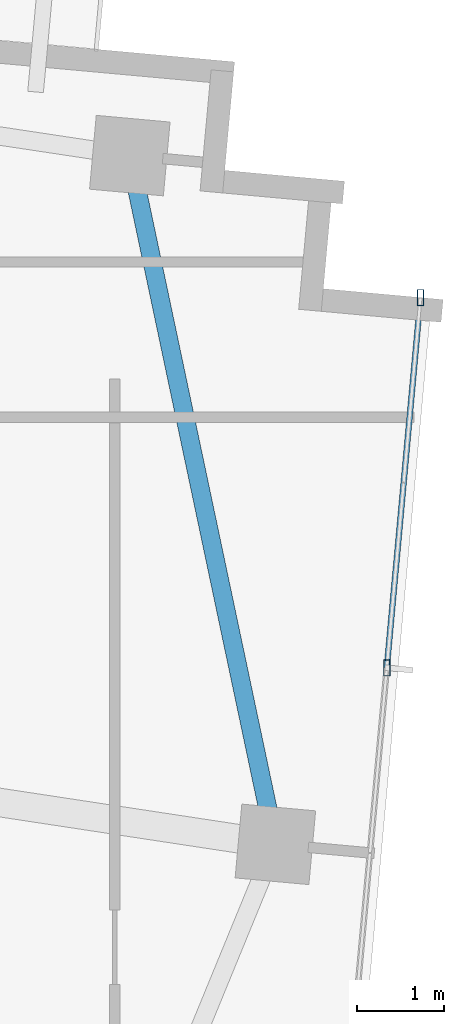
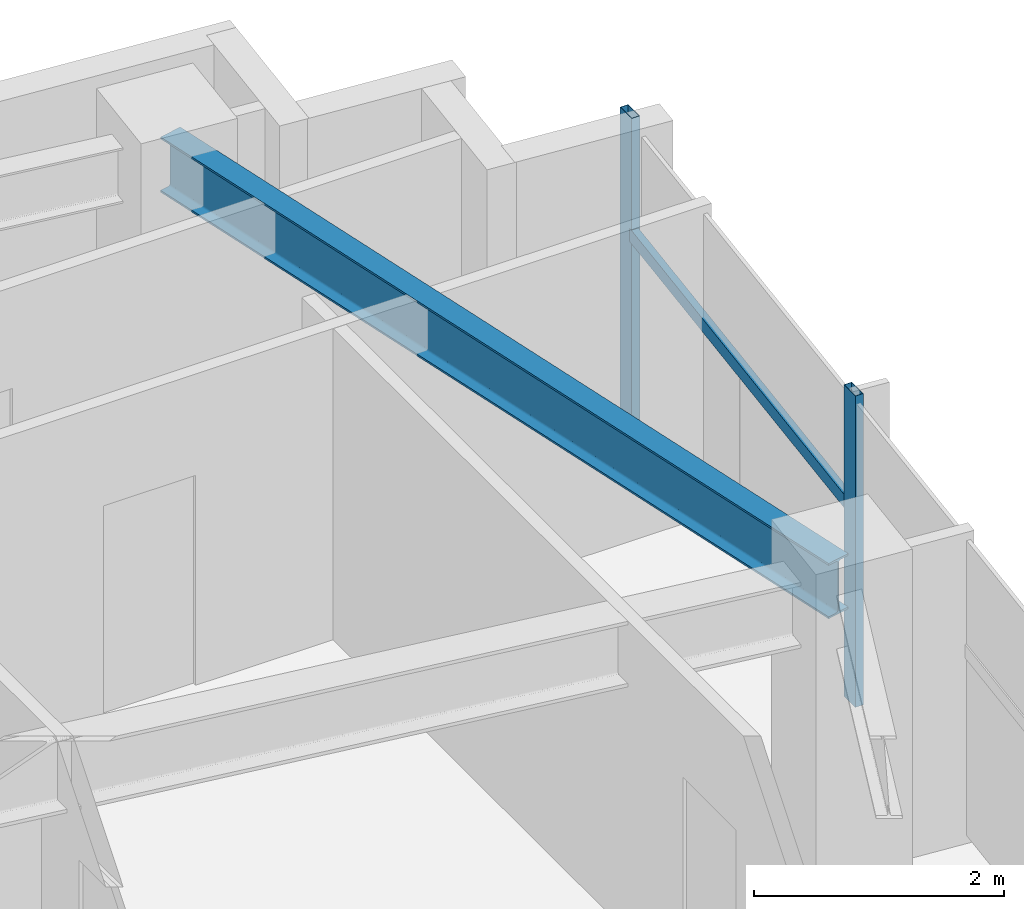
# One storey, part 14 of 22: 3 members, 1 beam, 1 element without a shape of its own.
"""IFC4 building model written with IfcOpenShell, lengths in metres."""

from ifc_helpers import new_model, si_unit, direction, frame, origin, origin_2d, place, context, subcontext, project, spatial, hollow_rectangle, i_section, extrude, source, transform, mapped, material, material_profile, profile_set, type_object, type_shapes, element, aggregate, save


model = new_model("IFC4")

# Units and contexts
model_context = context("Model", 3, precision=1e-05, world=origin(), true_north=direction((0.0, 1.0)))
body_context = subcontext(model_context, "Body", "Model", "MODEL_VIEW")
ifc_project = project(units=[si_unit("LENGTHUNIT", "METRE"), si_unit("AREAUNIT", "SQUARE_METRE"), si_unit("VOLUMEUNIT", "CUBIC_METRE"), si_unit("PLANEANGLEUNIT", "RADIAN"), si_unit("MASSUNIT", "GRAM", prefix="KILO")], contexts=[model_context])

# Site, building, storey
site_placement = place(None, origin())
site = spatial("IfcSite", under=ifc_project, at=site_placement, CompositionType="ELEMENT")
building_placement = place(site_placement, origin())
building = spatial("IfcBuilding", under=site, at=building_placement, Name="Astriad Promenade Condominiums", CompositionType="ELEMENT")
storey_placement = place(building_placement, frame((0.0, 0.0, 219.89990234375)))
storey = spatial("IfcBuildingStorey", under=building, at=storey_placement, Name="L63", CompositionType="ELEMENT", Elevation=219.89990234375)

# Beam
ifc_material_1 = material(Name="Steel ASTM A992 Grade 50", Category="steel")
ifc_material_profile_1 = material_profile(ifc_material_1, i_section(OverallWidth=0.210693359375, OverallDepth=0.53955078125, WebThickness=0.01171875, FlangeThickness=0.018798828125, FilletRadius=0.0166015625, at=origin_2d()), Name="W21X73")
ifc_profile_set_1 = profile_set([ifc_material_profile_1], Name="Steel ASTM A992 Grade 50")
beam_type = type_object("IfcBeamType", Name="STEEL SPANDREL BEAM W21X73", PredefinedType="SPANDREL", material=ifc_profile_set_1)
shared_shape_1 = source(origin(), body_context, "Body", "SweptSolid", [
    extrude(i_section(OverallWidth=0.210693359375, OverallDepth=0.53955078125, WebThickness=0.01171875, FlangeThickness=0.018798828125, FilletRadius=0.0166015625, at=origin_2d()), origin(), (0.0, 0.0, 1.0), 7.99853515625),
])
type_shapes(beam_type, [shared_shape_1])
beam_placement = place(storey_placement, frame((54.88037109375, 16.02880859375, 2.7705078125), z_axis=(-0.20676418926, 0.978390806396, 0.0), x_axis=(-0.978390806396, -0.20676418926, 0.0)))
element("IfcBeam", 1, at=beam_placement, inside=storey, type_object=beam_type, Name="Perimeter Spandrel Beam SP-E2-L63", PredefinedType="SPANDREL", context=body_context, shape_type="MappedRepresentation", body=[
    mapped(shared_shape_1, transform((0.0, 0.0, 0.0), scale=1.0)),
])

# Curtain wall, members
ifc_material_2 = material(Name="Anodised aluminium Black Dark Glass Unitised", Category="aluminium")
curtain_wall_type = type_object("IfcCurtainWallType", Name="CW-B5-DARK", PredefinedType="USERDEFINED", material=ifc_material_2)
curtain_wall_placement = place(storey_placement, origin())
curtain_wall = element("IfcCurtainWall", 2, at=curtain_wall_placement, inside=storey, type_object=curtain_wall_type, Name="CW-L63-E", ObjectType="UNITISED_CURTAIN_WALL", PredefinedType="USERDEFINED")
ifc_material_3 = material(Name="Anodised aluminium 6063-T6 Black", Category="aluminium")
ifc_material_profile_2 = material_profile(ifc_material_3, hollow_rectangle(XDim=0.06494140625, YDim=0.1298828125, WallThickness=0.00390625, at=origin_2d()), Name="ALU-TRN-65X130")
ifc_profile_set_2 = profile_set([ifc_material_profile_2], Name="Anodised aluminium 6063-T6 Black")
member_type_1 = type_object("IfcMemberType", Name="TRN-ALU-TRN-65X130", PredefinedType="USERDEFINED", material=ifc_profile_set_2)
shared_shape_2 = source(origin(), body_context, "Body", "SweptSolid", [
    extrude(hollow_rectangle(XDim=0.06494140625, YDim=0.1298828125, WallThickness=0.00390625, at=origin_2d()), origin(), (0.0, 0.0, 1.0), 4.2666015625),
])
type_shapes(member_type_1, [shared_shape_2])
member_1_placement = place(storey_placement, frame((56.55419921875, 22.2646484375, 1.885009765625), z_axis=(-0.090638931954, -0.99588382054, 0.0), x_axis=(0.99588382054, -0.090638931954, 0.0)))
member_1 = element("IfcMember", 3, at=member_1_placement, type_object=member_type_1, Name="CW-L63-E-TRN-00-0", ObjectType="TRANSOM", PredefinedType="USERDEFINED", context=body_context, shape_type="MappedRepresentation", body=[
    mapped(shared_shape_2, transform((0.0, 0.0, 0.0), scale=1.0)),
])
ifc_material_profile_3 = material_profile(ifc_material_3, hollow_rectangle(XDim=0.074951171875, YDim=0.18505859375, WallThickness=0.00439453125, at=origin_2d()), Name="ALU-MUL-75X185")
ifc_profile_set_3 = profile_set([ifc_material_profile_3], Name="Anodised aluminium 6063-T6 Black")
member_type_2 = type_object("IfcMemberType", Name="MUL-ALU-MUL-75X185", PredefinedType="MULLION", material=ifc_profile_set_3)
shared_shape_3 = source(origin(), body_context, "Body", "SweptSolid", [
    extrude(hollow_rectangle(XDim=0.074951171875, YDim=0.18505859375, WallThickness=0.00439453125, at=origin_2d()), origin(), (0.0, 0.0, 1.0), 3.0400390625),
])
type_shapes(member_type_2, [shared_shape_3])
member_2_placement = place(storey_placement, frame((56.55419921875, 22.2646484375, 0.0), z_axis=(0.0, 0.0, 1.0), x_axis=(1.0, 0.0, 0.0)))
member_2 = element("IfcMember", 4, at=member_2_placement, type_object=member_type_2, Name="CW-L63-E-MUL-00", PredefinedType="MULLION", context=body_context, shape_type="MappedRepresentation", body=[
    mapped(shared_shape_3, transform((0.0, 0.0, 0.0), scale=1.0)),
])
member_3_placement = place(storey_placement, frame((56.16748046875, 18.015625, 0.0), z_axis=(0.0, 0.0, 1.0), x_axis=(1.0, 0.0, 0.0)))
member_3 = element("IfcMember", 5, at=member_3_placement, type_object=member_type_2, Name="CW-L63-E-MUL-01", PredefinedType="MULLION", context=body_context, shape_type="MappedRepresentation", body=[
    mapped(shared_shape_3, transform((0.0, 0.0, 0.0), scale=1.0)),
])
aggregate(curtain_wall, [member_2, member_3, member_1])

save(model, "model.ifc")
